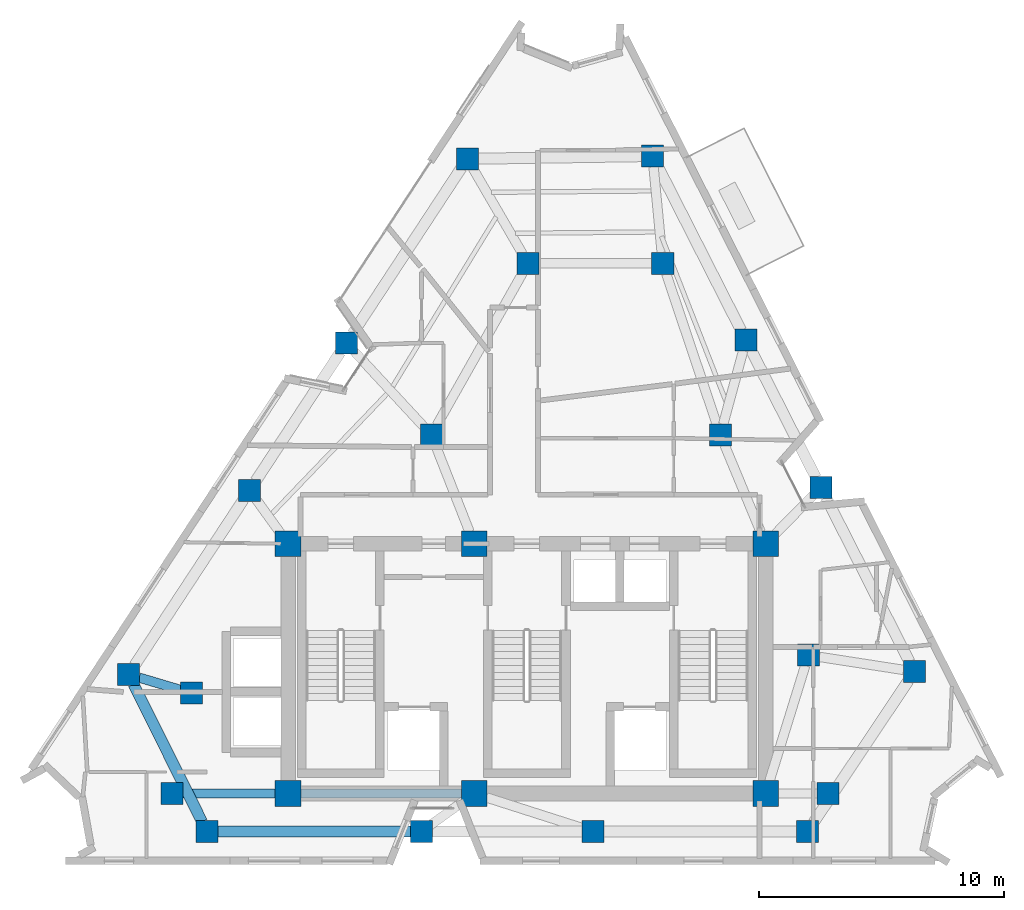
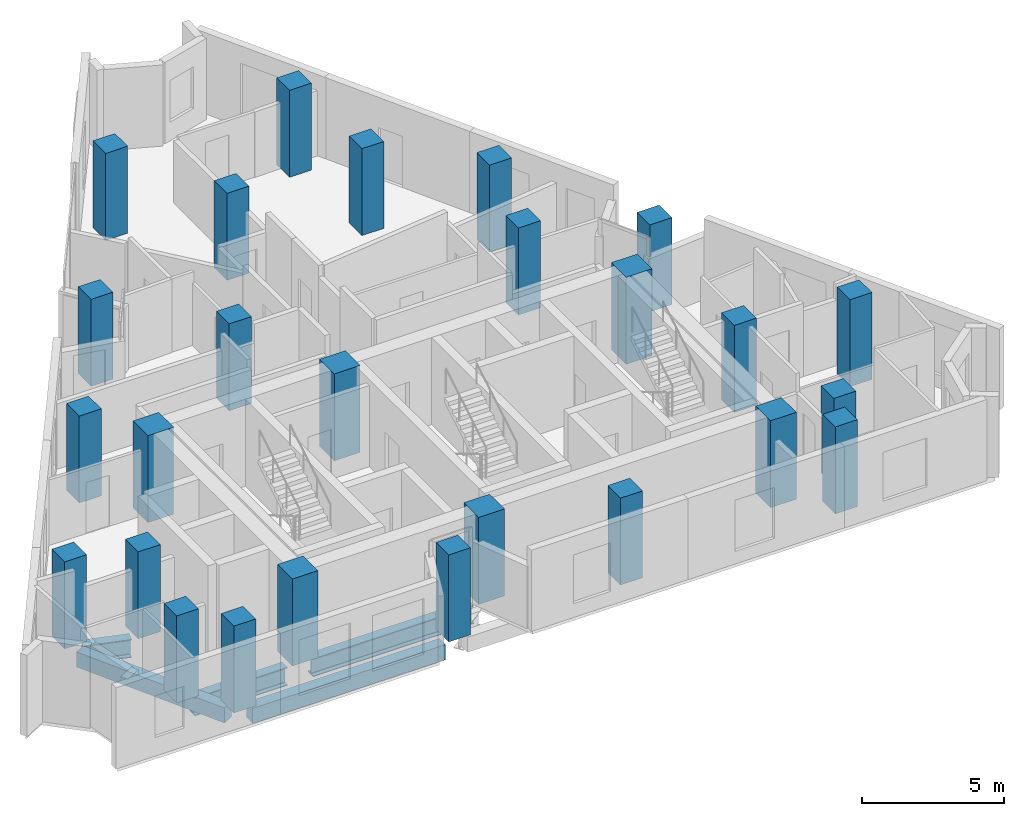
# One storey, part 1 of 9: 26 columns, 5 beams.
"""IFC4 building model written with IfcOpenShell, lengths in metres."""

from ifc_helpers import new_model, si_unit, direction, frame, origin, origin_2d, place, context, subcontext, project, spatial, rectangle, i_section, extrude, material, material_profile, profile_set, type_object, element, save


model = new_model("IFC4")

# Units and contexts
model_context = context("Model", 3, precision=1e-05, world=origin(), true_north=direction((0.0, 1.0)))
body_context = subcontext(model_context, "Body", "Model", "MODEL_VIEW")
ifc_project = project(units=[si_unit("LENGTHUNIT", "METRE"), si_unit("AREAUNIT", "SQUARE_METRE"), si_unit("VOLUMEUNIT", "CUBIC_METRE"), si_unit("PLANEANGLEUNIT", "RADIAN"), si_unit("MASSUNIT", "GRAM", prefix="KILO")], contexts=[model_context])

# Site, building, storey
site_placement = place(None, origin())
site = spatial("IfcSite", under=ifc_project, at=site_placement, CompositionType="ELEMENT")
building_placement = place(site_placement, origin())
building = spatial("IfcBuilding", under=site, at=building_placement, Name="Almagre Mirador Tower", CompositionType="ELEMENT")
storey_placement = place(building_placement, frame((0.0, 0.0, 237.0)))
storey = spatial("IfcBuildingStorey", under=building, at=storey_placement, Name="L61", CompositionType="ELEMENT", Elevation=237.0)

# Columns
ifc_material_1 = material(Name="Concrete C60/75", Category="concrete")
ifc_material_profile_1 = material_profile(ifc_material_1, rectangle(XDim=1.050048828125, YDim=1.050048828125, at=origin_2d()), Name="RC1050X1050")
ifc_profile_set_1 = profile_set([ifc_material_profile_1], Name="Concrete C60/75")
column_type_1 = type_object("IfcColumnType", Name="COL-RC1050", PredefinedType="COLUMN", material=ifc_profile_set_1)
for number, where, z_axis, x_axis, name in (
    (1, (27.550048828125, 4.550048828125, 0.0), (0.0, 0.0, 1.0), (1.0, 0.0, 0.0), "L61 core spine column CC1"),
    (2, (35.14990234375, 4.550048828125, 0.0), (0.0, 0.0, 1.0), (1.0, 0.0, 0.0), "L61 core spine column CC2"),
    (3, (47.050048828125, 4.550048828125, 0.0), (0.0, 0.0, 1.0), (1.0, 0.0, 0.0), "L61 core spine column CC3"),
    (4, (27.550048828125, 14.75, 0.0), (0.0, 0.0, 1.0), (1.0, 0.0, 0.0), "L61 core spine column CC4"),
    (5, (35.14990234375, 14.75, 0.0), (0.0, 0.0, 1.0), (1.0, 0.0, 0.0), "L61 core spine column CC5"),
    (6, (47.050048828125, 14.75, 0.0), (0.0, 0.0, 1.0), (1.0, 0.0, 0.0), "L61 core spine column CC6"),
):
    element("IfcColumn", number, at=place(storey_placement, frame(where, z_axis=z_axis, x_axis=x_axis)), inside=storey, type_object=column_type_1, Name=name, PredefinedType="COLUMN", context=body_context, shape_type="SweptSolid", body=[
        extrude(rectangle(XDim=1.050048828125, YDim=1.050048828125, at=origin_2d()), origin(), (0.0, 0.0, 1.0), 3.75),
    ])
ifc_material_2 = material(Name="Concrete C60/75", Category="concrete")
ifc_material_profile_2 = material_profile(ifc_material_2, rectangle(XDim=0.89990234375, YDim=0.89990234375, at=origin_2d()), Name="RC900X900")
ifc_profile_set_2 = profile_set([ifc_material_profile_2], Name="Concrete C60/75")
column_type_2 = type_object("IfcColumnType", Name="COL-RC900", PredefinedType="COLUMN", material=ifc_profile_set_2)
for number, where, z_axis, x_axis, name in (
    (7, (22.800048828125, 4.550048828125, 0.0), (0.0, 0.0, 1.0), (1.0, 0.0, 0.0), "L61 interior transfer column MC1"),
    (8, (49.60009765625, 4.550048828125, 0.0), (0.0, 0.0, 1.0), (1.0, 0.0, 0.0), "L61 interior transfer column MC2"),
    (9, (48.800048828125, 10.199951171875, 0.0), (0.0, 0.0, 1.0), (1.0, 0.0, 0.0), "L61 interior transfer column MC3"),
    (10, (45.199951171875, 19.199951171875, 0.0), (0.0, 0.0, 1.0), (1.0, 0.0, 0.0), "L61 interior transfer column MC5"),
    (11, (42.85009765625, 26.199951171875, 0.0), (0.0, 0.0, 1.0), (1.0, 0.0, 0.0), "L61 interior transfer column MC6"),
    (12, (37.35009765625, 26.199951171875, 0.0), (0.0, 0.0, 1.0), (1.0, 0.0, 0.0), "L61 interior transfer column MC7"),
    (13, (33.39990234375, 19.199951171875, 0.0), (0.0, 0.0, 1.0), (1.0, 0.0, 0.0), "L61 interior transfer column MC8"),
    (14, (23.60009765625, 8.64990234375, 0.0), (0.0, 0.0, 1.0), (1.0, 0.0, 0.0), "L61 interior transfer column MC10"),
    (15, (24.236083984375, 3.0, 0.0), (0.0, 0.0, 1.0), (1.0, 0.0, 0.0), "L61 perimeter column PC01"),
    (16, (32.99609375, 3.0, 0.0), (0.0, 0.0, 1.0), (1.0, 0.0, 0.0), "L61 perimeter column PC02"),
    (17, (40.00390625, 3.0, 0.0), (0.0, 0.0, 1.0), (1.0, 0.0, 0.0), "L61 perimeter column PC03"),
    (18, (48.763916015625, 3.0, 0.0), (0.0, 0.0, 1.0), (1.0, 0.0, 0.0), "L61 perimeter column PC04"),
    (19, (53.1279296875, 9.529052734375, 0.0), (0.0, 0.0, 1.0), (1.0, 0.0, 0.0), "L61 perimeter column PC05"),
    (20, (49.30810546875, 17.049072265625, 0.0), (0.0, 0.0, 1.0), (1.0, 0.0, 0.0), "L61 perimeter column PC06"),
    (21, (46.251953125, 23.06494140625, 0.0), (0.0, 0.0, 1.0), (1.0, 0.0, 0.0), "L61 perimeter column PC07"),
    (22, (42.431884765625, 30.5849609375, 0.0), (0.0, 0.0, 1.0), (1.0, 0.0, 0.0), "L61 perimeter column PC08"),
    (23, (34.868896484375, 30.468994140625, 0.0), (0.0, 0.0, 1.0), (1.0, 0.0, 0.0), "L61 perimeter column PC09"),
    (24, (29.928955078125, 22.948974609375, 0.0), (0.0, 0.0, 1.0), (1.0, 0.0, 0.0), "L61 perimeter column PC10"),
    (25, (25.97705078125, 16.93310546875, 0.0), (0.0, 0.0, 1.0), (1.0, 0.0, 0.0), "L61 perimeter column PC11"),
    (26, (21.037109375, 9.4130859375, 0.0), (0.0, 0.0, 1.0), (1.0, 0.0, 0.0), "L61 perimeter column PC12"),
):
    element("IfcColumn", number, at=place(storey_placement, frame(where, z_axis=z_axis, x_axis=x_axis)), inside=storey, type_object=column_type_2, Name=name, PredefinedType="COLUMN", context=body_context, shape_type="SweptSolid", body=[
        extrude(rectangle(XDim=0.89990234375, YDim=0.89990234375, at=origin_2d()), origin(), (0.0, 0.0, 1.0), 3.75),
    ])

# Beams
ifc_material_3 = material(Name="Precast concrete C50/60", Category="concrete")
ifc_material_profile_3 = material_profile(ifc_material_3, rectangle(XDim=0.449951171875, YDim=0.64990234375, at=origin_2d()), Name="RC450X650")
ifc_profile_set_3 = profile_set([ifc_material_profile_3], Name="Precast concrete C50/60")
beam_type_1 = type_object("IfcBeamType", Name="BM-SPN-RC450X650", PredefinedType="SPANDREL", material=ifc_profile_set_3)
beam_1_placement = place(storey_placement, frame((24.68603515625, 3.0, -0.574951171875), z_axis=(1.0, 0.0, 0.0), x_axis=(0.0, 1.0, 0.0)))
element("IfcBeam", 27, at=beam_1_placement, inside=storey, type_object=beam_type_1, Name="L61 perimeter spandrel beam PC01-PC02", PredefinedType="SPANDREL", context=body_context, shape_type="SweptSolid", body=[
    extrude(rectangle(XDim=0.449951171875, YDim=0.64990234375, at=origin_2d()), origin(), (0.0, 0.0, 1.0), 7.85986328125),
])
beam_2_placement = place(storey_placement, frame((21.23779296875, 9.01025390625, -0.574951171875), z_axis=(0.446387482803, -0.894839770684, 0.0), x_axis=(0.894839770684, 0.446387482803, 0.0)))
element("IfcBeam", 28, at=beam_2_placement, inside=storey, type_object=beam_type_1, Name="L61 perimeter spandrel beam PC12-PC01", PredefinedType="SPANDREL", context=body_context, shape_type="SweptSolid", body=[
    extrude(rectangle(XDim=0.449951171875, YDim=0.64990234375, at=origin_2d()), origin(), (0.0, 0.0, 1.0), 6.2666015625),
])
ifc_material_4 = material(Name="Steel ASTM A992 Grade 50", Category="steel")
ifc_material_profile_4 = material_profile(ifc_material_4, i_section(OverallWidth=0.384033203125, OverallDepth=0.784912109375, WebThickness=0.019775390625, FlangeThickness=0.033447265625, FilletRadius=0.02392578125, at=origin_2d()), Name="W30X211")
ifc_profile_set_4 = profile_set([ifc_material_profile_4], Name="Steel ASTM A992 Grade 50")
beam_type_2 = type_object("IfcBeamType", Name="BM-STL-W30X211", PredefinedType="BEAM", material=ifc_profile_set_4)
beam_3_placement = place(storey_placement, frame((28.074951171875, 4.550048828125, -0.642578125), z_axis=(1.0, 0.0, 0.0), x_axis=(0.0, 1.0, 0.0)))
element("IfcBeam", 29, at=beam_3_placement, inside=storey, type_object=beam_type_2, Name="L61 core tie girder CC1-CC2", PredefinedType="BEAM", context=body_context, shape_type="SweptSolid", body=[
    extrude(i_section(OverallWidth=0.384033203125, OverallDepth=0.784912109375, WebThickness=0.019775390625, FlangeThickness=0.033447265625, FilletRadius=0.02392578125, at=origin_2d()), origin(), (0.0, 0.0, 1.0), 6.550048828125),
])
beam_4_placement = place(storey_placement, frame((23.25, 4.550048828125, -0.642578125), z_axis=(1.0, 0.0, 0.0), x_axis=(0.0, 1.0, 0.0)))
element("IfcBeam", 30, at=beam_4_placement, inside=storey, type_object=beam_type_2, Name="L61 core tie girder MC1-CC1", PredefinedType="BEAM", context=body_context, shape_type="SweptSolid", body=[
    extrude(i_section(OverallWidth=0.384033203125, OverallDepth=0.784912109375, WebThickness=0.019775390625, FlangeThickness=0.033447265625, FilletRadius=0.02392578125, at=origin_2d()), origin(), (0.0, 0.0, 1.0), 3.77490234375),
])
beam_5_placement = place(storey_placement, frame((21.46826171875, 9.28466796875, -0.642578125), z_axis=(0.958411312387, -0.285390532935, 0.0), x_axis=(0.285390532935, 0.958411312387, 0.0)))
element("IfcBeam", 31, at=beam_5_placement, inside=storey, type_object=beam_type_2, Name="L61 radial floor girder PC12-MC10", PredefinedType="BEAM", context=body_context, shape_type="SweptSolid", body=[
    extrude(i_section(OverallWidth=0.384033203125, OverallDepth=0.784912109375, WebThickness=0.019775390625, FlangeThickness=0.033447265625, FilletRadius=0.02392578125, at=origin_2d()), origin(), (0.0, 0.0, 1.0), 1.774169921875),
])

save(model, "model.ifc")
